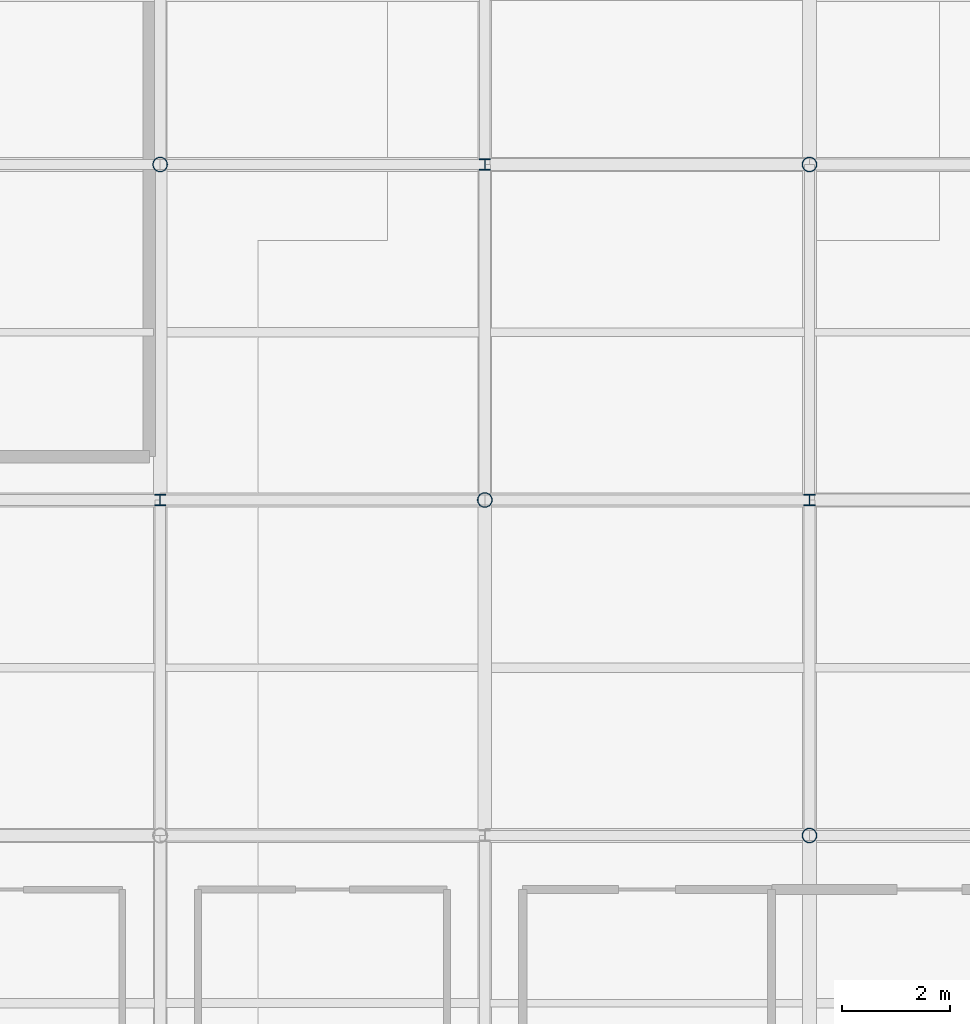
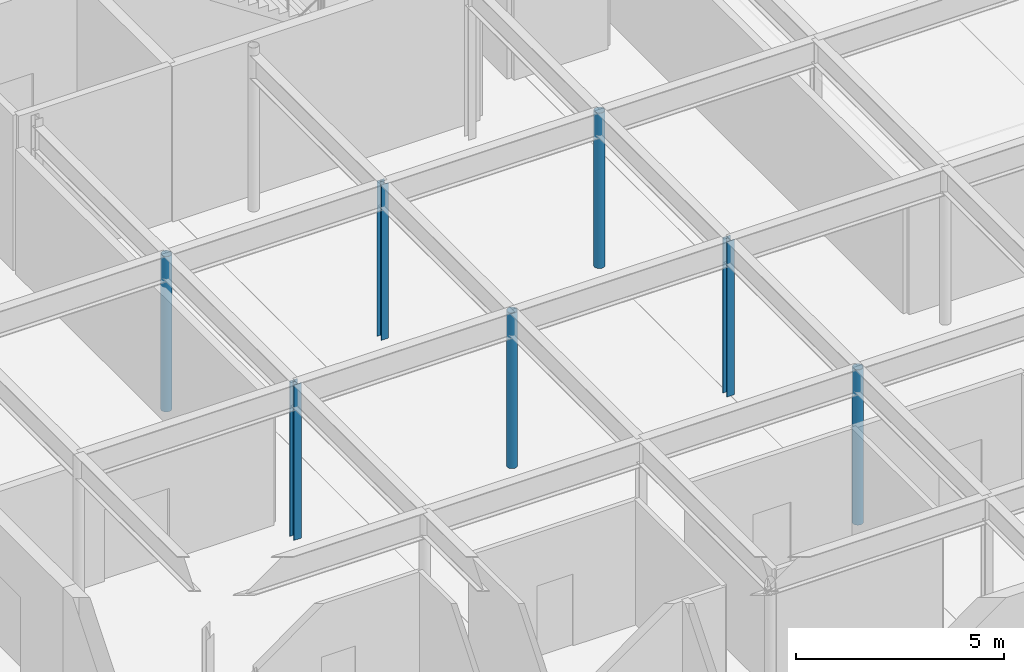
# One storey, part 5 of 48: 7 columns.
"""IFC4 building model written with IfcOpenShell, lengths in metres."""

from ifc_helpers import new_model, si_unit, direction, frame, origin, origin_2d, place, context, subcontext, project, spatial, hollow_circle, i_section, extrude, material, material_profile, profile_set, type_object, element, save


model = new_model("IFC4")

# Units and contexts
model_context = context("Model", 3, precision=1e-05, world=origin(), true_north=direction((0.0, 1.0)))
body_context = subcontext(model_context, "Body", "Model", "MODEL_VIEW")
ifc_project = project(units=[si_unit("LENGTHUNIT", "METRE"), si_unit("AREAUNIT", "SQUARE_METRE"), si_unit("VOLUMEUNIT", "CUBIC_METRE"), si_unit("PLANEANGLEUNIT", "RADIAN"), si_unit("MASSUNIT", "GRAM", prefix="KILO")], contexts=[model_context])

# Site, building, storey
site_placement = place(None, origin())
site = spatial("IfcSite", under=ifc_project, at=site_placement, CompositionType="ELEMENT")
building_placement = place(site_placement, origin())
building = spatial("IfcBuilding", under=site, at=building_placement, Name="Mirzam Square Science Centre", CompositionType="ELEMENT")
storey_placement = place(building_placement, frame((0.0, 0.0, 20.39990234375)))
storey = spatial("IfcBuildingStorey", under=building, at=storey_placement, Name="L04", CompositionType="ELEMENT", Elevation=20.39990234375)

# Columns
ifc_material = material(Name="Steel S355", Category="steel")
ifc_material_profile_1 = material_profile(ifc_material, hollow_circle(Radius=0.136474609375, WallThickness=0.010009765625, at=origin_2d()), Name="273.0x10.0CHS")
ifc_profile_set_1 = profile_set([ifc_material_profile_1], Name="Steel S355")
column_type_1 = type_object("IfcColumnType", Name="COL-CHS273", PredefinedType="COLUMN", material=ifc_profile_set_1)
for number, where, z_axis, x_axis, name in (
    (1, (120.0, 68.199951171875, 0.0), (0.0, 0.0, 1.0), (1.0, 0.0, 0.0), "L04 column G21-12"),
    (2, (126.0, 62.0, 0.0), (0.0, 0.0, 1.0), (1.0, 0.0, 0.0), "L04 column G22-11"),
    (3, (132.0, 55.800048828125, 0.0), (0.0, 0.0, 1.0), (1.0, 0.0, 0.0), "L04 column G23-10"),
    (4, (132.0, 68.199951171875, 0.0), (0.0, 0.0, 1.0), (1.0, 0.0, 0.0), "L04 column G23-12"),
):
    element("IfcColumn", number, at=place(storey_placement, frame(where, z_axis=z_axis, x_axis=x_axis)), inside=storey, type_object=column_type_1, Name=name, PredefinedType="COLUMN", context=body_context, shape_type="SweptSolid", body=[
        extrude(hollow_circle(Radius=0.136474609375, WallThickness=0.010009765625, at=origin_2d()), origin(), (0.0, 0.0, 1.0), 4.550048828125),
    ])
ifc_material_profile_2 = material_profile(ifc_material, i_section(OverallWidth=0.205810546875, OverallDepth=0.209716796875, WebThickness=0.009521484375, FlangeThickness=0.01416015625, FilletRadius=0.01025390625, at=origin_2d()), Name="203x203x60UC")
ifc_profile_set_2 = profile_set([ifc_material_profile_2], Name="Steel S355")
column_type_2 = type_object("IfcColumnType", Name="COL-UC203A", PredefinedType="COLUMN", material=ifc_profile_set_2)
for number, where, z_axis, x_axis, name in (
    (5, (120.0, 62.0, 0.0), (0.0, 0.0, 1.0), (1.0, 0.0, 0.0), "L04 column G21-11"),
    (6, (126.0, 68.199951171875, 0.0), (0.0, 0.0, 1.0), (1.0, 0.0, 0.0), "L04 column G22-12"),
    (7, (132.0, 62.0, 0.0), (0.0, 0.0, 1.0), (1.0, 0.0, 0.0), "L04 column G23-11"),
):
    element("IfcColumn", number, at=place(storey_placement, frame(where, z_axis=z_axis, x_axis=x_axis)), inside=storey, type_object=column_type_2, Name=name, PredefinedType="COLUMN", context=body_context, shape_type="SweptSolid", body=[
        extrude(i_section(OverallWidth=0.205810546875, OverallDepth=0.209716796875, WebThickness=0.009521484375, FlangeThickness=0.01416015625, FilletRadius=0.01025390625, at=origin_2d()), origin(), (0.0, 0.0, 1.0), 4.550048828125),
    ])

save(model, "model.ifc")
